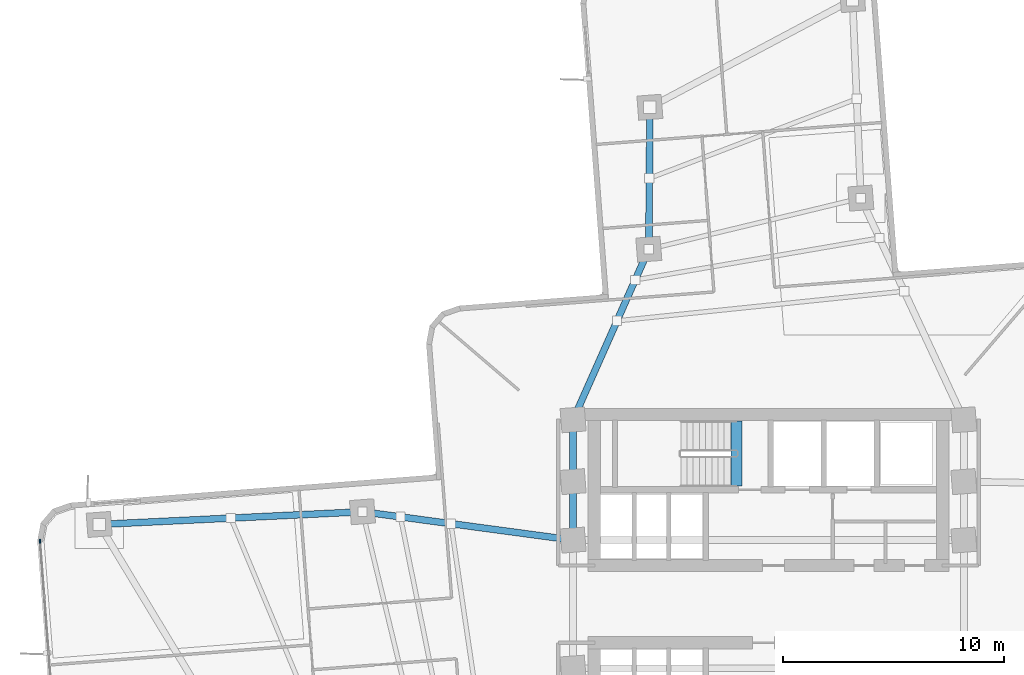
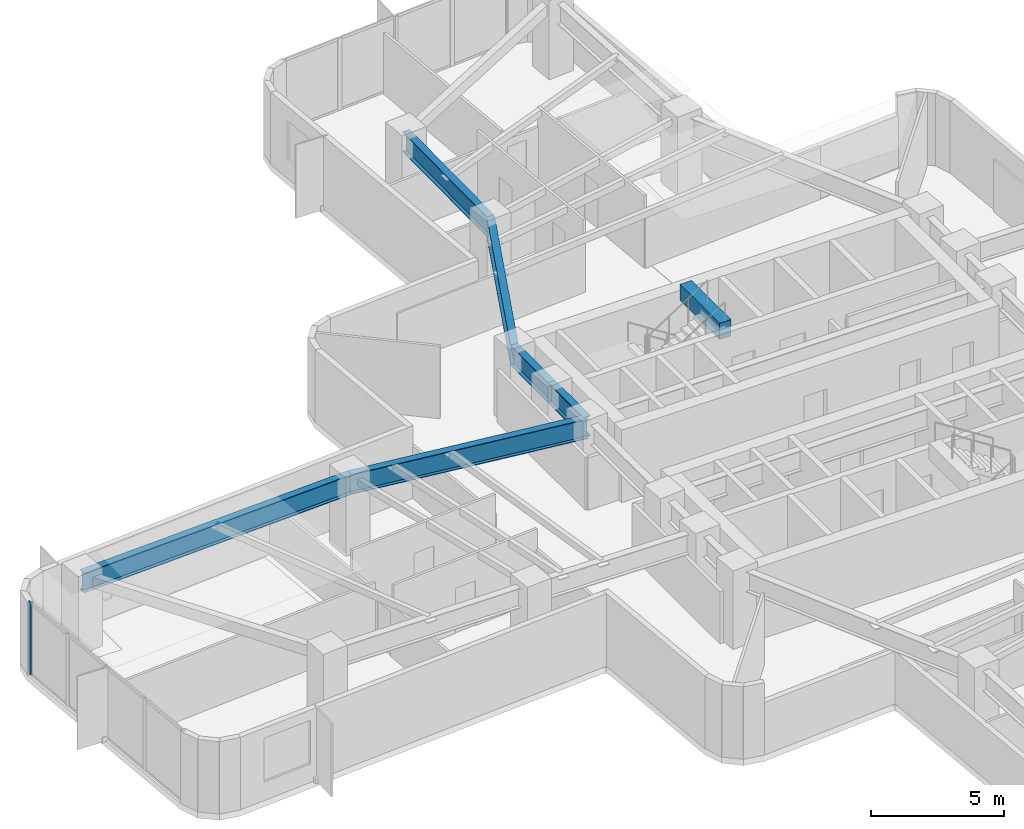
# One storey, part 4 of 15: 7 beams, 1 member, 1 element without a shape of its own.
"""IFC4 building model written with IfcOpenShell, lengths in metres."""

import ifcopenshell
import ifcopenshell.guid

model = None  # the IFC model being written
_history = None  # IfcOwnerHistory: only IFC2X3 demands one
_inside = {}  # id of a spatial element -> (the spatial element, [elements in it])
_under = {}  # id of a project, library or spatial element -> (it, [spatial elements below it])
_declared = {}  # id of a project -> (the project, [libraries it declares])
_typed = {}  # id of a type object -> (the type object, [elements of that type])
_made_of = {}  # id of a material, layer set ... -> (it, [elements and type objects made of it])


def new_model(schema):
    """Start an empty IFC model of exactly this schema.

    Asked for "IFC4X3", IfcOpenShell would pick the latest addendum, in which some entities
    have other attributes; the version numbers below select the first issue.
    IFC2X3 requires an IfcOwnerHistory on every rooted entity: one is made here for all.
    """
    global model, _history
    if schema == "IFC4X3":
        model = ifcopenshell.file(schema_version=(4, 3, 0, 0))
    else:
        model = ifcopenshell.file(schema=schema)
    _inside.clear()
    _under.clear()
    _declared.clear()
    _typed.clear()
    _made_of.clear()
    _history = None
    if model.schema == "IFC2X3":
        org = make("IfcOrganization", Name="unknown")
        user = make(
            "IfcPersonAndOrganization",
            ThePerson=make("IfcPerson", FamilyName="unknown"),
            TheOrganization=org,
        )
        app = make(
            "IfcApplication",
            ApplicationDeveloper=org,
            Version="unknown",
            ApplicationFullName="unknown",
            ApplicationIdentifier="unknown",
        )
        _history = make(
            "IfcOwnerHistory",
            OwningUser=user,
            OwningApplication=app,
            ChangeAction="ADDED",
            CreationDate=0,
        )
    return model


def make(cls, **values):
    """One entity of the class cls with the attributes given. An attribute that is None is left unset."""
    return model.create_entity(
        cls, **{name: value for name, value in values.items() if value is not None}
    )


def rooted(cls, **values):
    """An entity with a GlobalId (a new one), such as an element, a storey or a relation."""
    return make(cls, GlobalId=ifcopenshell.guid.new(), OwnerHistory=_history, **values)


def si_unit(unit_type, name, prefix=None):
    """IfcSIUnit, for example si_unit("LENGTHUNIT", "METRE", prefix="MILLI")."""
    return make("IfcSIUnit", UnitType=unit_type, Prefix=prefix, Name=name)


def assignment(units):
    """IfcUnitAssignment: the units of a project."""
    return None if units is None else make("IfcUnitAssignment", Units=units)


def point(xyz):
    """IfcCartesianPoint."""
    return None if xyz is None else make("IfcCartesianPoint", Coordinates=xyz)


def direction(xyz):
    """IfcDirection."""
    return None if xyz is None else make("IfcDirection", DirectionRatios=xyz)


def frame(location, z_axis=None, x_axis=None):
    """IfcAxis2Placement3D, a coordinate frame: its origin and axes. An axis left out is left unset."""
    return make(
        "IfcAxis2Placement3D",
        Location=point(location),
        Axis=direction(z_axis),
        RefDirection=direction(x_axis),
    )


def frame_2d(location, x_axis=None):
    """IfcAxis2Placement2D, a coordinate frame in the plane: its origin and x axis."""
    return make(
        "IfcAxis2Placement2D", Location=point(location), RefDirection=direction(x_axis)
    )


def origin():
    """The frame at (0, 0, 0) with its axes left unset."""
    return frame((0.0, 0.0, 0.0))


def origin_2d():
    """The frame at (0, 0) in the plane with its x axis left unset."""
    return frame_2d((0.0, 0.0))


def place(relative_to, where):
    """IfcLocalPlacement: puts the frame where relative to a parent placement (None: the world)."""
    return make(
        "IfcLocalPlacement", PlacementRelTo=relative_to, RelativePlacement=where
    )


def context(
    kind, dimensions, precision=None, world=None, true_north=None, identifier=None
):
    """IfcGeometricRepresentationContext, for example the 3D "Model" context."""
    return make(
        "IfcGeometricRepresentationContext",
        ContextIdentifier=identifier,
        ContextType=kind,
        CoordinateSpaceDimension=dimensions,
        Precision=precision,
        WorldCoordinateSystem=world,
        TrueNorth=true_north,
    )


def subcontext(parent, identifier, kind, view, scale=None):
    """IfcGeometricRepresentationSubContext, for example "Body" below "Model"."""
    return make(
        "IfcGeometricRepresentationSubContext",
        ContextIdentifier=identifier,
        ContextType=kind,
        ParentContext=parent,
        TargetScale=scale,
        TargetView=view,
    )


def project(units=None, contexts=None):
    """IfcProject with its units and contexts."""
    return rooted(
        "IfcProject",
        Name="project",
        RepresentationContexts=contexts,
        UnitsInContext=assignment(units),
    )


def spatial(cls, under=None, at=None, **own):
    """A site, building, storey or space (cls), placed at a placement, below another one or the project."""
    s = rooted(cls, ObjectPlacement=at, **own)
    if under is not None:
        _under.setdefault(under.id(), (under, []))[1].append(s)
    return s


def profile(cls, at=None, kind="AREA", **sizes):
    """A parametric profile (cls). Its sizes go by their IFC names, for example OverallWidth=200.0."""
    return make(cls, ProfileType=kind, Position=at, **sizes)


def rectangle(**sizes):
    """IfcRectangleProfileDef."""
    return profile("IfcRectangleProfileDef", **sizes)


def i_section(**sizes):
    """IfcIShapeProfileDef."""
    return profile("IfcIShapeProfileDef", **sizes)


def extrude(swept, where, along, depth):
    """IfcExtrudedAreaSolid: the profile swept, set in the frame where, extruded along a direction by depth."""
    return make(
        "IfcExtrudedAreaSolid",
        SweptArea=swept,
        Position=where,
        ExtrudedDirection=direction(along),
        Depth=depth,
    )


def shape(context_of_items, identifier, shape_type, items):
    """IfcShapeRepresentation: the items that make up one representation, for example the "Body"."""
    return make(
        "IfcShapeRepresentation",
        ContextOfItems=context_of_items,
        RepresentationIdentifier=identifier,
        RepresentationType=shape_type,
        Items=items,
    )


def material(Name=None, Category=None):
    """IfcMaterial."""
    return make("IfcMaterial", Name=Name, Category=Category)


def layer(
    of_material, thickness, ventilated=None, Name=None, Category=None, Priority=None
):
    """IfcMaterialLayer: one layer of a wall or slab, of a material (None: an air gap)."""
    return make(
        "IfcMaterialLayer",
        Material=of_material,
        LayerThickness=thickness,
        IsVentilated=ventilated,
        Name=Name,
        Category=Category,
        Priority=Priority,
    )


def layer_set(layers, Name=None):
    """IfcMaterialLayerSet."""
    return make("IfcMaterialLayerSet", MaterialLayers=layers, LayerSetName=Name)


def material_profile(
    of_material, cross_section, Name=None, Category=None, Priority=None
):
    """IfcMaterialProfile: a cross section and its material."""
    return make(
        "IfcMaterialProfile",
        Name=Name,
        Material=of_material,
        Profile=cross_section,
        Priority=Priority,
        Category=Category,
    )


def profile_set(profiles, Name=None, composite=None):
    """IfcMaterialProfileSet."""
    return make(
        "IfcMaterialProfileSet",
        Name=Name,
        MaterialProfiles=profiles,
        CompositeProfile=composite,
    )


def made_of(thing, what):
    """Note that an element or type object is made of a material, layer set ...; save() writes the relation."""
    if what is not None:
        _made_of.setdefault(what.id(), (what, []))[1].append(thing)
    return thing


def type_object(cls, material=None, **own):
    """A type object (cls), such as IfcWallType, which elements share."""
    return made_of(rooted(cls, **own), material)


def element(
    cls,
    number,
    at=None,
    inside=None,
    cuts=None,
    type_object=None,
    material=None,
    context=None,
    identifier="Body",
    shape_type=None,
    held_by="IfcProductDefinitionShape",
    body=None,
    shapes=None,
    **own,
):
    """One element of the class cls, such as IfcWall. Its Tag is "e" and its number.

    at: its placement. inside: the storey or other place that contains it. cuts: it is an
    opening in that element (IfcRelVoidsElement). A single representation is given by context,
    identifier, shape_type and body (its items); several are given by shapes. held_by: the class
    of the entity that holds the representations. save() writes the other relations.
    """
    e = rooted(cls, Tag="e%d" % number, ObjectPlacement=at, **own)
    if body is not None:
        shapes = [shape(context, identifier, shape_type, body)]
    if shapes is not None:
        e.Representation = make(held_by, Representations=shapes)
    if inside is not None:
        _inside.setdefault(inside.id(), (inside, []))[1].append(e)
    if cuts is not None:
        rooted(
            "IfcRelVoidsElement", RelatingBuildingElement=cuts, RelatedOpeningElement=e
        )
    if type_object is not None:
        _typed.setdefault(type_object.id(), (type_object, []))[1].append(e)
    return made_of(e, material)


def aggregate(whole, parts):
    """IfcRelAggregates: a whole, such as a stair, and the parts it consists of."""
    return rooted("IfcRelAggregates", RelatingObject=whole, RelatedObjects=parts)


def save(model, path):
    """Write the relations noted so far, then the file.

    IfcRelAggregates (storeys below a building ...), IfcRelContainedInSpatialStructure (elements
    in a storey), IfcRelDefinesByType, IfcRelAssociatesMaterial and IfcRelDeclares: one each for
    every whole, place, type object, material and project.
    """
    for whole, parts in _under.values():
        aggregate(whole, parts)
    for where, things in _inside.values():
        rooted(
            "IfcRelContainedInSpatialStructure",
            RelatedElements=things,
            RelatingStructure=where,
        )
    for kind, things in _typed.values():
        rooted("IfcRelDefinesByType", RelatedObjects=things, RelatingType=kind)
    for what, things in _made_of.values():
        rooted("IfcRelAssociatesMaterial", RelatedObjects=things, RelatingMaterial=what)
    for by, libraries in _declared.values():
        rooted("IfcRelDeclares", RelatingContext=by, RelatedDefinitions=libraries)
    model.write(path)


model = new_model("IFC4")

# Units and contexts
model_context = context("Model", 3, precision=1e-05, world=origin(), true_north=direction((0.0, 1.0)))
body_context = subcontext(model_context, "Body", "Model", "MODEL_VIEW")
ifc_project = project(units=[si_unit("LENGTHUNIT", "METRE"), si_unit("AREAUNIT", "SQUARE_METRE"), si_unit("VOLUMEUNIT", "CUBIC_METRE"), si_unit("PLANEANGLEUNIT", "RADIAN"), si_unit("MASSUNIT", "GRAM", prefix="KILO")], contexts=[model_context])

# Site, building, storey
site_placement = place(None, origin())
site = spatial("IfcSite", under=ifc_project, at=site_placement, CompositionType="ELEMENT")
building_placement = place(site_placement, origin())
building = spatial("IfcBuilding", under=site, at=building_placement, Name="Solmarez Civic Tower", CompositionType="ELEMENT")
storey_placement = place(building_placement, frame((0.0, 0.0, 60.47998046875)))
storey = spatial("IfcBuildingStorey", under=building, at=storey_placement, Name="L15", CompositionType="ELEMENT", Elevation=60.47998046875)

# Beams
ifc_material_1 = material(Name="Concrete C50/60", Category="concrete")
ifc_material_profile_1 = material_profile(ifc_material_1, rectangle(XDim=0.5, YDim=0.75, at=origin_2d()), Name="RC500X750")
ifc_profile_set_1 = profile_set([ifc_material_profile_1], Name="Concrete C50/60")
beam_type_1 = type_object("IfcBeamType", Name="BM-PR-RC500X750", PredefinedType="BEAM", material=ifc_profile_set_1)
beam_1_placement = place(storey_placement, frame((-1.449951171875, 5.340087890625, 3.23291015625), z_axis=(0.0, 1.0, 0.0), x_axis=(-1.0, 0.0, 0.0)))
element("IfcBeam", 1, at=beam_1_placement, inside=storey, type_object=beam_type_1, Name="L15 North Stair Threshold Beam", PredefinedType="BEAM", context=body_context, shape_type="SweptSolid", body=[
    extrude(rectangle(XDim=0.5, YDim=0.75, at=origin_2d()), origin(), (0.0, 0.0, 1.0), 2.9599609375),
])
ifc_material_2 = material(Name="Steel S355", Category="steel")
ifc_material_profile_2 = material_profile(ifc_material_2, i_section(OverallWidth=0.303955078125, OverallDepth=0.910888671875, WebThickness=0.015869140625, FlangeThickness=0.02392578125, at=origin_2d()), Name="W36X150")
ifc_profile_set_2 = profile_set([ifc_material_profile_2], Name="Steel S355")
beam_type_2 = type_object("IfcBeamType", Name="BM-PR-W36X150", PredefinedType="BEAM", material=ifc_profile_set_2)
beam_2_placement = place(storey_placement, frame((-8.85009765625, 8.35009765625, 2.864013671875), z_axis=(0.405693556952, 0.914009156326, 0.0), x_axis=(-0.914009156326, 0.405693556952, 0.0)))
element("IfcBeam", 2, at=beam_2_placement, inside=storey, type_object=beam_type_2, Name="L15 Primary Floor Beam BM-L15-NA-R1B", PredefinedType="BEAM", context=body_context, shape_type="SweptSolid", body=[
    extrude(i_section(OverallWidth=0.303955078125, OverallDepth=0.910888671875, WebThickness=0.015869140625, FlangeThickness=0.02392578125, at=origin_2d()), origin(), (0.0, 0.0, 1.0), 8.45263671875),
])
beam_3_placement = place(storey_placement, frame((-5.4208984375, 16.075927734375, 2.864013671875), z_axis=(0.007592219108, 0.999971178689, 0.0), x_axis=(-0.999971178689, 0.007592219108, 0.0)))
element("IfcBeam", 3, at=beam_3_placement, inside=storey, type_object=beam_type_2, Name="L15 Primary Floor Beam BM-L15-NA-R2B", PredefinedType="BEAM", context=body_context, shape_type="SweptSolid", body=[
    extrude(i_section(OverallWidth=0.303955078125, OverallDepth=0.910888671875, WebThickness=0.015869140625, FlangeThickness=0.02392578125, at=origin_2d()), origin(), (0.0, 0.0, 1.0), 6.431396484375),
])
beam_4_placement = place(storey_placement, frame((-8.85009765625, 2.89990234375, 2.864013671875), z_axis=(-0.991063240718, 0.133392851745, 0.0), x_axis=(-0.133392851745, -0.991063240718, 0.0)))
element("IfcBeam", 4, at=beam_4_placement, inside=storey, type_object=beam_type_2, Name="L15 Primary Floor Beam BM-L15-WA-R1A", PredefinedType="BEAM", context=body_context, shape_type="SweptSolid", body=[
    extrude(i_section(OverallWidth=0.303955078125, OverallDepth=0.910888671875, WebThickness=0.015869140625, FlangeThickness=0.02392578125, at=origin_2d()), origin(), (0.0, 0.0, 1.0), 9.626953125),
])
beam_5_placement = place(storey_placement, frame((-18.39111328125, 4.18408203125, 2.864013671875), z_axis=(-0.998839135977, -0.048170327398, 0.0), x_axis=(0.048170327398, -0.998839135977, 0.0)))
element("IfcBeam", 5, at=beam_5_placement, inside=storey, type_object=beam_type_2, Name="L15 Primary Floor Beam BM-L15-WA-R2A", PredefinedType="BEAM", context=body_context, shape_type="SweptSolid", body=[
    extrude(i_section(OverallWidth=0.303955078125, OverallDepth=0.910888671875, WebThickness=0.015869140625, FlangeThickness=0.02392578125, at=origin_2d()), origin(), (0.0, 0.0, 1.0), 11.94091796875),
])
ifc_material_profile_3 = material_profile(ifc_material_2, i_section(OverallWidth=0.306884765625, OverallDepth=0.927001953125, WebThickness=0.019287109375, FlangeThickness=0.031982421875, at=origin_2d()), Name="W36X194")
ifc_profile_set_3 = profile_set([ifc_material_profile_3], Name="Steel S355")
beam_type_3 = type_object("IfcBeamType", Name="BM-PR-W36X194", PredefinedType="BEAM", material=ifc_profile_set_3)
beam_6_placement = place(storey_placement, frame((-8.85009765625, 2.89990234375, 2.85595703125), z_axis=(0.0, 1.0, 0.0), x_axis=(-1.0, 0.0, 0.0)))
element("IfcBeam", 6, at=beam_6_placement, inside=storey, type_object=beam_type_3, Name="L15 Primary Floor Beam BM-L15-HC3-HC4", PredefinedType="BEAM", context=body_context, shape_type="SweptSolid", body=[
    extrude(i_section(OverallWidth=0.306884765625, OverallDepth=0.927001953125, WebThickness=0.019287109375, FlangeThickness=0.031982421875, at=origin_2d()), origin(), (0.0, 0.0, 1.0), 2.650146484375),
])
beam_7_placement = place(storey_placement, frame((-8.85009765625, 5.550048828125, 2.85595703125), z_axis=(0.0, 1.0, 0.0), x_axis=(-1.0, 0.0, 0.0)))
element("IfcBeam", 7, at=beam_7_placement, inside=storey, type_object=beam_type_3, Name="L15 Primary Floor Beam BM-L15-HC4-HC9", PredefinedType="BEAM", context=body_context, shape_type="SweptSolid", body=[
    extrude(i_section(OverallWidth=0.306884765625, OverallDepth=0.927001953125, WebThickness=0.019287109375, FlangeThickness=0.031982421875, at=origin_2d()), origin(), (0.0, 0.0, 1.0), 2.800048828125),
])

# Curtain wall, member
ifc_material_3 = material(Name="Bronze Anodised Aluminium EN AW-6063 T6", Category="aluminium")
ifc_layer = layer(ifc_material_3, 0.18505859375)
ifc_layer_set = layer_set([ifc_layer], Name="Bronze Anodised Aluminium EN AW-6063 T6")
curtain_wall_type = type_object("IfcCurtainWallType", Name="CW-SYS-2", PredefinedType="NOTDEFINED", material=ifc_layer_set)
curtain_wall_placement = place(storey_placement, origin())
curtain_wall = element("IfcCurtainWall", 8, at=curtain_wall_placement, inside=storey, type_object=curtain_wall_type, Name="L15 Stick-Built Curtain Wall 1", PredefinedType="NOTDEFINED")
ifc_material_profile_4 = material_profile(ifc_material_3, rectangle(XDim=0.070068359375, YDim=0.179931640625, at=origin_2d()), Name="CWM-70X180")
ifc_profile_set_4 = profile_set([ifc_material_profile_4], Name="Bronze Anodised Aluminium EN AW-6063 T6")
member_type = type_object("IfcMemberType", Name="CWM-TYPE-2", PredefinedType="MULLION", material=ifc_profile_set_4)
member_placement = place(storey_placement, frame((-32.996337890625, 2.85107421875, 0.0), z_axis=(0.0, 0.0, 1.0), x_axis=(-0.997052182339, -0.076726434127, 0.0)))
member = element("IfcMember", 9, at=member_placement, type_object=member_type, Name="CWS2 mullion 5", PredefinedType="MULLION", context=body_context, shape_type="SweptSolid", body=[
    extrude(rectangle(XDim=0.070068359375, YDim=0.179931640625, at=origin_2d()), origin(), (0.0, 0.0, 1.0), 3.320068359375),
])
aggregate(curtain_wall, [member])

save(model, "model.ifc")
